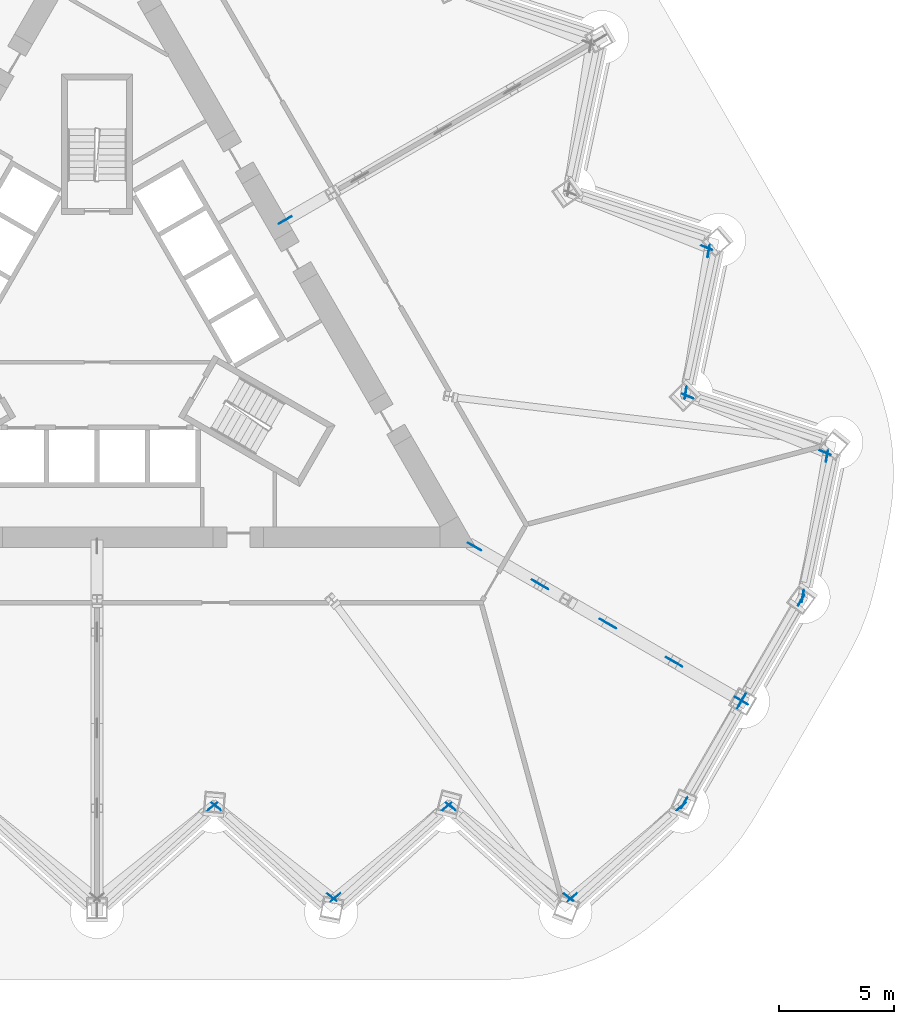
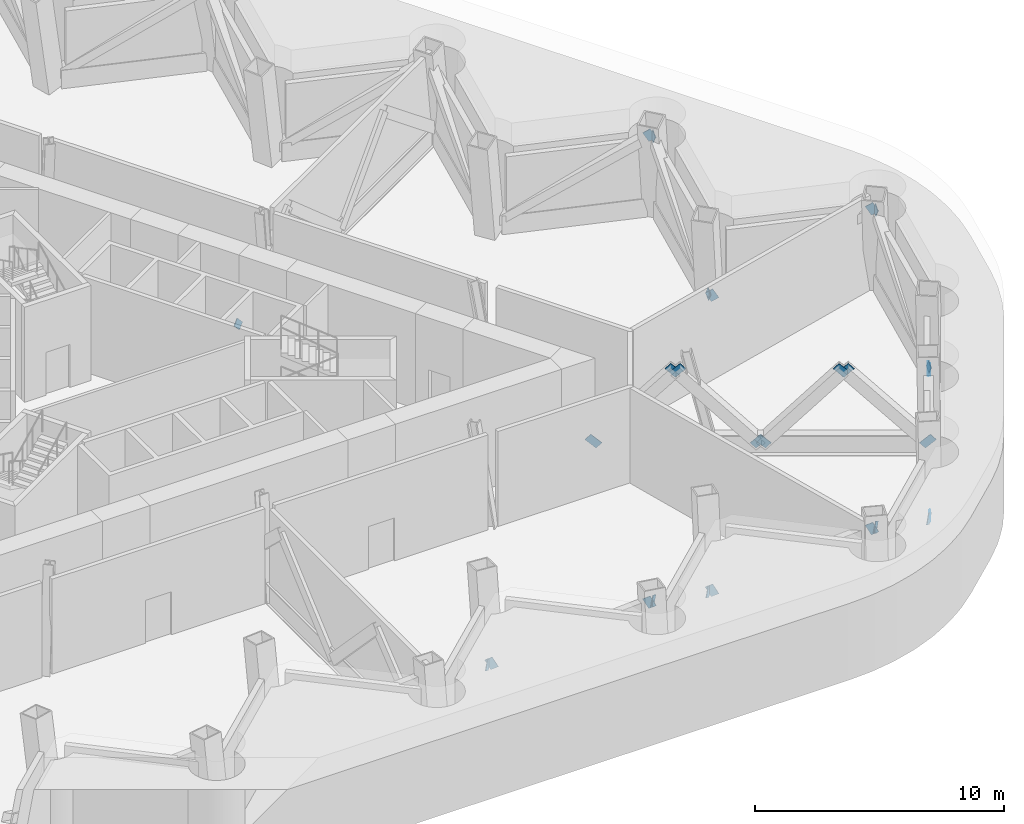
# One storey, part 9 of 13: 29 discrete accessories.
"""IFC4 building model written with IfcOpenShell, lengths in metres."""

from ifc_helpers import new_model, si_unit, direction, frame, origin, origin_2d, place, context, subcontext, project, spatial, rectangle, extrude, material, material_profile, profile_set, type_object, element, save


model = new_model("IFC4")

# Units and contexts
model_context = context("Model", 3, precision=1e-05, world=origin(), true_north=direction((0.0, 1.0)))
body_context = subcontext(model_context, "Body", "Model", "MODEL_VIEW")
ifc_project = project(units=[si_unit("LENGTHUNIT", "METRE"), si_unit("AREAUNIT", "SQUARE_METRE"), si_unit("VOLUMEUNIT", "CUBIC_METRE"), si_unit("PLANEANGLEUNIT", "RADIAN"), si_unit("MASSUNIT", "GRAM", prefix="KILO")], contexts=[model_context])

# Site, building, storey
site_placement = place(None, origin())
site = spatial("IfcSite", under=ifc_project, at=site_placement, CompositionType="ELEMENT")
building_placement = place(site_placement, origin())
building = spatial("IfcBuilding", under=site, at=building_placement, Name="Cormorant Prow Tower", CompositionType="ELEMENT")
storey_placement = place(building_placement, frame((0.0, 0.0, 164.199951171875)))
storey = spatial("IfcBuildingStorey", under=building, at=storey_placement, Name="L34", CompositionType="ELEMENT", Elevation=164.199951171875)

# Discrete accessories
ifc_material_1 = material(Name="Structural steel ASTM A500 Gr C", Category="steel")
ifc_material_profile_1 = material_profile(ifc_material_1, rectangle(XDim=0.031982421875, YDim=0.506103515625, at=origin_2d()), Name="Gusset plate 32x506")
ifc_profile_set_1 = profile_set([ifc_material_profile_1], Name="Structural steel ASTM A500 Gr C")
discrete_accessory_type_1 = type_object("IfcDiscreteAccessoryType", Name="Gusset plate 32x506", PredefinedType="BRACKET", material=ifc_profile_set_1)
for number, where, z_axis, x_axis, name in (
    (1, (4.902587890625, -20.903564453125, 0.599365234375), (0.677360336684, 0.542027787439, -0.497381997997), (-0.624793104766, 0.780790353575, 0.0), "Gusset plate GP2 L34.S05.g0"),
    (2, (5.31103515625, -20.902099609375, 0.597900390625), (-0.684307769832, 0.537122306596, -0.493175936056), (-0.617431929158, -0.786624314941, 0.0), "Gusset plate GP2 L34.S06.g0"),
    (3, (10.103515625, -24.668701171875, 4.05224609375), (0.684286460193, -0.537803120091, 0.49246303863), (0.617927733784, 0.786234898628, 0.0), "Gusset plate GP2 L34.S06.g1"),
    (4, (15.1162109375, -20.905029296875, 0.6005859375), (0.670351974474, 0.546884441194, -0.501543256657), (-0.632139467267, 0.774854627607, 0.0), "Gusset plate GP2 L34.S07.g0"),
    (5, (10.509765625, -24.665771484375, 4.049560546875), (-0.670096229996, -0.5473730911, 0.501351914014), (0.632623199786, -0.774459738846, 0.0), "Gusset plate GP2 L34.S07.g1"),
    (6, (15.5244140625, -20.90087890625, 0.5966796875), (-0.690571205773, 0.532925657788, -0.488980217421), (-0.61094668071, -0.791671745946, 0.0), "Gusset plate GP2 L34.S08.g0"),
):
    element("IfcDiscreteAccessory", number, at=place(storey_placement, frame(where, z_axis=z_axis, x_axis=x_axis)), inside=storey, type_object=discrete_accessory_type_1, Name=name, PredefinedType="BRACKET", context=body_context, shape_type="SweptSolid", body=[
        extrude(rectangle(XDim=0.031982421875, YDim=0.506103515625, at=origin_2d()), origin(), (0.0, 0.0, 1.0), 0.35009765625),
    ])
for number, where, z_axis, x_axis, name in (
    (7, (20.41015625, -24.670166015625, 4.053466796875), (0.690806702707, -0.533107394816, 0.488449183732), (0.61094668071, 0.791671745946, 0.0), "Gusset plate GP2 L34.S08.g1"),
    (8, (25.330078125, -20.906494140625, 0.601806640625), (0.662893706955, 0.551946233897, -0.505892565834), (-0.639866075967, 0.768486437634, 0.0), "Gusset plate GP2 L34.S09.g0"),
    (9, (20.816162109375, -24.66455078125, 4.04833984375), (-0.662893706955, -0.551946233897, 0.505892565834), (0.639866075967, -0.768486437634, 0.0), "Gusset plate GP2 L34.S09.g1"),
):
    element("IfcDiscreteAccessory", number, at=place(storey_placement, frame(where, z_axis=z_axis, x_axis=x_axis)), inside=storey, type_object=discrete_accessory_type_1, Name=name, PredefinedType="BRACKET", context=body_context, shape_type="SweptSolid", body=[
        extrude(rectangle(XDim=0.031982421875, YDim=0.506103515625, at=origin_2d()), origin(), (0.0, 0.0, 1.0), 0.349853515625),
    ])
for number, where, z_axis, x_axis, name in (
    (10, (25.647705078125, -20.528564453125, 0.62548828125), (-0.396216535062, -0.708027787126, -0.58455890208), (0.872652585532, -0.488341545401, 0.0), "Gusset plate GP2 L34.ESE00.g0"),
    (11, (27.951904296875, -16.4189453125, 4.0244140625), (0.396838314898, 0.707195169255, 0.585144720912), (-0.872080379477, 0.489362658701, 0.0), "Gusset plate GP2 L34.ESE00.g1"),
):
    element("IfcDiscreteAccessory", number, at=place(storey_placement, frame(where, z_axis=z_axis, x_axis=x_axis)), inside=storey, type_object=discrete_accessory_type_1, Name=name, PredefinedType="BRACKET", context=body_context, shape_type="SweptSolid", body=[
        extrude(rectangle(XDim=0.031982421875, YDim=0.506103515625, at=origin_2d()), origin(), (0.0, 0.0, 1.0), 0.35009765625),
    ])
discrete_accessory_1_placement = place(storey_placement, frame((30.602294921875, -11.947265625, 0.62548828125), z_axis=(0.414556188839, 0.697208135775, -0.584845263043), x_axis=(-0.859535888021, 0.511075392877, 0.0)))
element("IfcDiscreteAccessory", 12, at=discrete_accessory_1_placement, inside=storey, type_object=discrete_accessory_type_1, Name="Gusset plate GP2 L34.ESE01.g0", PredefinedType="BRACKET", context=body_context, shape_type="SweptSolid", body=[
    extrude(rectangle(XDim=0.031982421875, YDim=0.506103515625, at=origin_2d()), origin(), (0.0, 0.0, 1.0), 0.349853515625),
])
for number, where, z_axis, x_axis, name in (
    (13, (28.1953125, -15.99755859375, 4.0244140625), (-0.414185559234, -0.697282086252, 0.585019670365), (0.859760372782, -0.510697661433, 0.0), "Gusset plate GP2 L34.ESE01.g1"),
    (14, (30.7705078125, -11.483154296875, 0.601806640625), (-0.146467377521, -0.850208253322, -0.505661184297), (0.985483444669, -0.169771553224, 0.0), "Gusset plate GP2 L34.ENE00.g0"),
):
    element("IfcDiscreteAccessory", number, at=place(storey_placement, frame(where, z_axis=z_axis, x_axis=x_axis)), inside=storey, type_object=discrete_accessory_type_1, Name=name, PredefinedType="BRACKET", context=body_context, shape_type="SweptSolid", body=[
        extrude(rectangle(XDim=0.031982421875, YDim=0.506103515625, at=origin_2d()), origin(), (0.0, 0.0, 1.0), 0.35009765625),
    ])
for number, where, z_axis, x_axis, name in (
    (15, (31.76806640625, -5.695068359375, 4.04833984375), (0.146554272765, 0.850014782039, 0.505961179785), (-0.985460115744, 0.169906916508, 0.0), "Gusset plate GP2 L34.ENE00.g1"),
    (16, (25.86279296875, -2.994140625, 0.5966796875), (-0.806724179081, 0.331482686041, -0.489198658768), (-0.380065559362, -0.924959550784, 0.0), "Gusset plate GP2 L34.ENE01.g0"),
):
    element("IfcDiscreteAccessory", number, at=place(storey_placement, frame(where, z_axis=z_axis, x_axis=x_axis)), inside=storey, type_object=discrete_accessory_type_1, Name=name, PredefinedType="BRACKET", context=body_context, shape_type="SweptSolid", body=[
        extrude(rectangle(XDim=0.031982421875, YDim=0.506103515625, at=origin_2d()), origin(), (0.0, 0.0, 1.0), 0.349853515625),
    ])
discrete_accessory_2_placement = place(storey_placement, frame((31.570068359375, -5.340576171875, 4.053466796875), z_axis=(0.807056002434, -0.332029954329, 0.488279344601), x_axis=(0.380468376101, 0.924793930985, 0.0)))
element("IfcDiscreteAccessory", 17, at=discrete_accessory_2_placement, inside=storey, type_object=discrete_accessory_type_1, Name="Gusset plate GP2 L34.ENE01.g1", PredefinedType="BRACKET", context=body_context, shape_type="SweptSolid", body=[
    extrude(rectangle(XDim=0.031982421875, YDim=0.506103515625, at=origin_2d()), origin(), (0.0, 0.0, 1.0), 0.35009765625),
])
for number, where, z_axis, x_axis, name in (
    (18, (25.662353515625, -2.638671875, 0.6005859375), (-0.138827291276, -0.853892485036, -0.501592072501), (0.98703996454, -0.160474634758, 0.0), "Gusset plate GP2 L34.ENE02.g0"),
    (19, (26.6162109375, 3.231201171875, 4.049560546875), (0.138827291276, 0.853892485036, 0.501592072501), (-0.98703996454, 0.160474634758, 0.0), "Gusset plate GP2 L34.ENE02.g1"),
    (20, (26.41552734375, 3.58447265625, 4.05224609375), (0.807857519377, -0.323701113118, 0.49252798677), (0.371943439653, 0.928255394651, 0.0), "Gusset plate GP2 L34.ENE03.g1"),
):
    element("IfcDiscreteAccessory", number, at=place(storey_placement, frame(where, z_axis=z_axis, x_axis=x_axis)), inside=storey, type_object=discrete_accessory_type_1, Name=name, PredefinedType="BRACKET", context=body_context, shape_type="SweptSolid", body=[
        extrude(rectangle(XDim=0.031982421875, YDim=0.506103515625, at=origin_2d()), origin(), (0.0, 0.0, 1.0), 0.349853515625),
    ])
ifc_material_2 = material(Name="Structural steel ASTM A500 Gr C", Category="steel")
ifc_material_profile_2 = material_profile(ifc_material_2, rectangle(XDim=0.031982421875, YDim=0.60791015625, at=origin_2d()), Name="Gusset plate 32x608")
ifc_profile_set_2 = profile_set([ifc_material_profile_2], Name="Structural steel ASTM A500 Gr C")
discrete_accessory_type_2 = type_object("IfcDiscreteAccessoryType", Name="Gusset plate 32x608", PredefinedType="BRACKET", material=ifc_profile_set_2)
discrete_accessory_3_placement = place(storey_placement, frame((16.54638671875, -9.552978515625, 0.720458984375), z_axis=(-0.587966477521, 0.338969997717, -0.734434995053), x_axis=(-0.499455527893, -0.866339526777, 0.0)))
element("IfcDiscreteAccessory", 21, at=discrete_accessory_3_placement, inside=storey, type_object=discrete_accessory_type_2, Name="Gusset plate GP1 L34.09.1.g0", PredefinedType="BRACKET", context=body_context, shape_type="SweptSolid", body=[
    extrude(rectangle(XDim=0.031982421875, YDim=0.60791015625, at=origin_2d()), origin(), (0.0, 0.0, 1.0), 0.35009765625),
])
discrete_accessory_4_placement = place(storey_placement, frame((19.115966796875, -11.03662109375, 3.9296875), z_axis=(0.587811130747, -0.339282909196, 0.734414856942), x_axis=(0.499900536046, 0.86608282171, 0.0)))
element("IfcDiscreteAccessory", 22, at=discrete_accessory_4_placement, inside=storey, type_object=discrete_accessory_type_2, Name="Gusset plate GP1 L34.09.1.g1", PredefinedType="BRACKET", context=body_context, shape_type="SweptSolid", body=[
    extrude(rectangle(XDim=0.031982421875, YDim=0.60791015625, at=origin_2d()), origin(), (0.0, 0.0, 1.0), 0.349609375),
])
for number, where, z_axis, x_axis, name in (
    (23, (19.469970703125, -11.240966796875, 3.930908203125), (-0.592243060684, 0.341812838322, 0.729665773234), (-0.499869636591, -0.866100656052, 0.0), "Gusset plate GP1 L34.09.2.g0"),
    (24, (22.07470703125, -12.744873046875, 0.71923828125), (0.591941696104, -0.341638905879, -0.729991702969), (0.499869636591, 0.866100656052, 0.0), "Gusset plate GP1 L34.09.2.g1"),
):
    element("IfcDiscreteAccessory", number, at=place(storey_placement, frame(where, z_axis=z_axis, x_axis=x_axis)), inside=storey, type_object=discrete_accessory_type_2, Name=name, PredefinedType="BRACKET", context=body_context, shape_type="SweptSolid", body=[
        extrude(rectangle(XDim=0.031982421875, YDim=0.60791015625, at=origin_2d()), origin(), (0.0, 0.0, 1.0), 0.35009765625),
    ])
discrete_accessory_5_placement = place(storey_placement, frame((22.427490234375, -12.948486328125, 0.7216796875), z_axis=(-0.584127299211, 0.337077043631, -0.738359238429), x_axis=(-0.499812034598, -0.866133898465, 0.0)))
element("IfcDiscreteAccessory", 25, at=discrete_accessory_5_placement, inside=storey, type_object=discrete_accessory_type_2, Name="Gusset plate GP1 L34.09.3.g0", PredefinedType="BRACKET", context=body_context, shape_type="SweptSolid", body=[
    extrude(rectangle(XDim=0.031982421875, YDim=0.60791015625, at=origin_2d()), origin(), (0.0, 0.0, 1.0), 0.349853515625),
])
for number, where, z_axis, x_axis, name in (
    (26, (24.96142578125, -14.41162109375, 3.92822265625), (0.583826396031, -0.336903404161, 0.738676407882), (0.499812034598, 0.866133898465, 0.0), "Gusset plate GP1 L34.09.3.g1"),
    (27, (25.3154296875, -14.615966796875, 3.93212890625), (-0.595438951476, 0.344434241252, 0.725821953731), (-0.500716596025, -0.865611281387, 0.0), "Gusset plate GP1 L34.09.4.g0"),
    (28, (27.955810546875, -16.14013671875, 0.7177734375), (0.595740368471, -0.344608597219, -0.725491783618), (0.500716596025, 0.865611281387, 0.0), "Gusset plate GP1 L34.09.4.g1"),
    (29, (8.308349609375, 4.796875, 0.70703125), (-0.627586375233, -0.362605461246, -0.688950376367), (0.500277597875, -0.865865073245, 0.0), "Gusset plate GP1 L34.11.1.g0"),
):
    element("IfcDiscreteAccessory", number, at=place(storey_placement, frame(where, z_axis=z_axis, x_axis=x_axis)), inside=storey, type_object=discrete_accessory_type_2, Name=name, PredefinedType="BRACKET", context=body_context, shape_type="SweptSolid", body=[
        extrude(rectangle(XDim=0.031982421875, YDim=0.60791015625, at=origin_2d()), origin(), (0.0, 0.0, 1.0), 0.35009765625),
    ])

save(model, "model.ifc")
